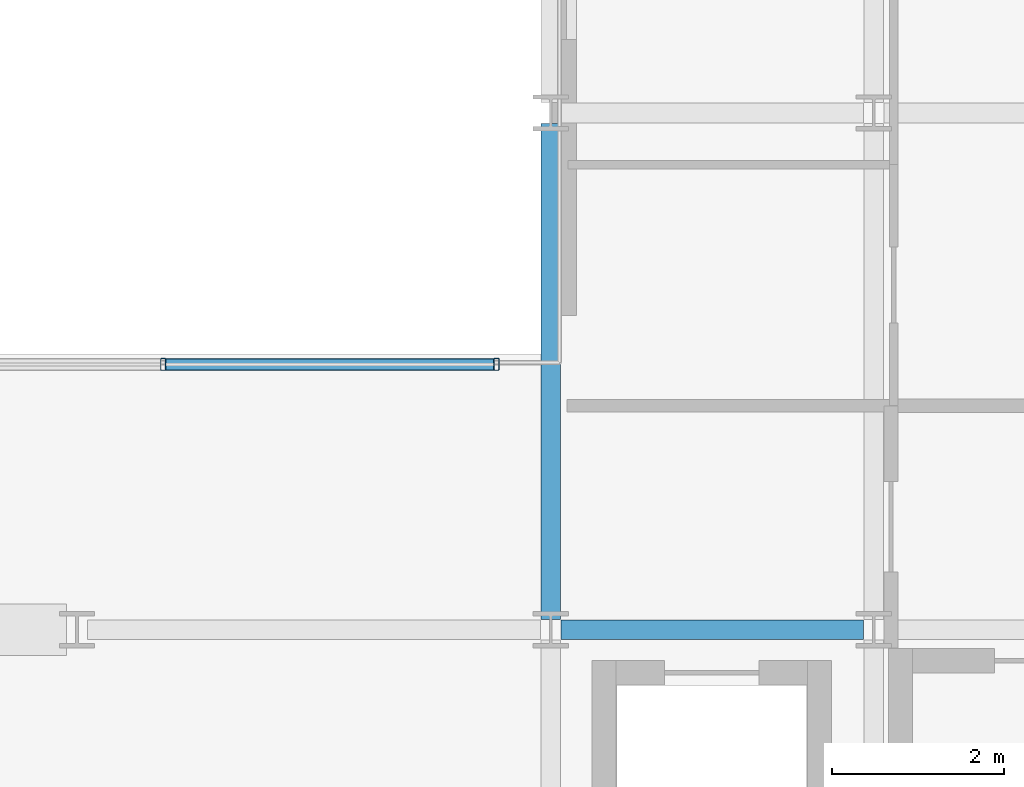
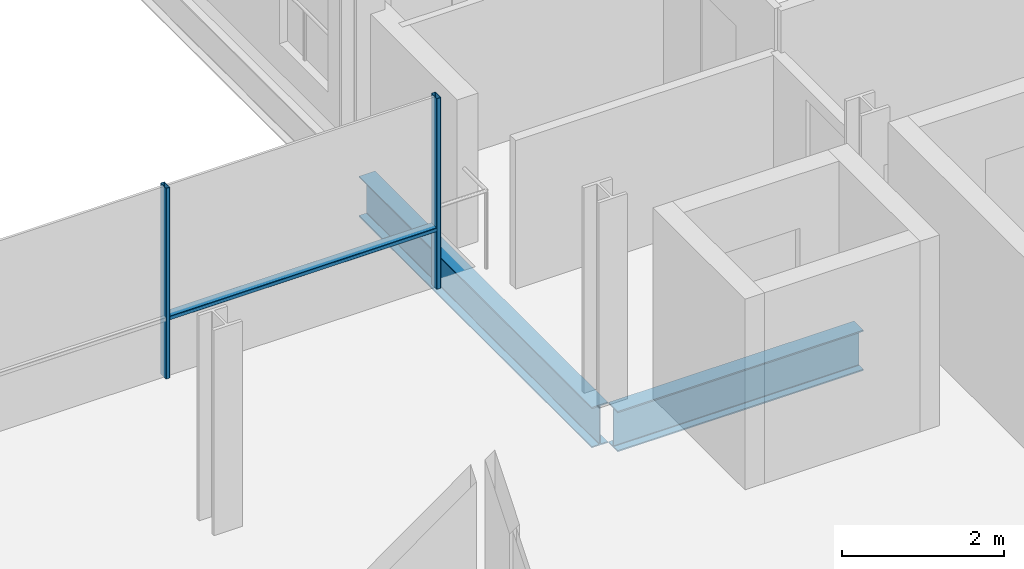
# One storey, part 13 of 38: 3 members, 2 beams, 1 element without a shape of its own.
"""IFC4 building model written with IfcOpenShell, lengths in metres."""

from ifc_helpers import new_model, si_unit, direction, frame, origin, origin_2d, place, context, subcontext, project, spatial, hollow_rectangle, i_section, extrude, material, layer, layer_set, material_profile, profile_set, type_object, element, aggregate, save


model = new_model("IFC4")

# Units and contexts
model_context = context("Model", 3, precision=1e-05, world=origin(), true_north=direction((0.0, 1.0)))
body_context = subcontext(model_context, "Body", "Model", "MODEL_VIEW")
ifc_project = project(units=[si_unit("LENGTHUNIT", "METRE"), si_unit("AREAUNIT", "SQUARE_METRE"), si_unit("VOLUMEUNIT", "CUBIC_METRE"), si_unit("PLANEANGLEUNIT", "RADIAN"), si_unit("MASSUNIT", "GRAM", prefix="KILO")], contexts=[model_context])

# Site, building, storey
site_placement = place(None, origin())
site = spatial("IfcSite", under=ifc_project, at=site_placement, CompositionType="ELEMENT")
building_placement = place(site_placement, origin())
building = spatial("IfcBuilding", under=site, at=building_placement, Name="Brevholm Reach", CompositionType="ELEMENT")
storey_placement = place(building_placement, frame((0.0, 0.0, 122.10009765625)))
storey = spatial("IfcBuildingStorey", under=building, at=storey_placement, Name="L36", CompositionType="ELEMENT", Elevation=122.10009765625)

# Beams
ifc_material_1 = material(Name="Structural Steel S355J2", Category="steel")
ifc_material_profile_1 = material_profile(ifc_material_1, i_section(OverallWidth=0.22900390625, OverallDepth=0.6123046875, WebThickness=0.011962890625, FlangeThickness=0.01953125, FilletRadius=0.0126953125, at=origin_2d()), Name="UKB 610x229x125")
ifc_profile_set_1 = profile_set([ifc_material_profile_1], Name="Structural Steel S355J2")
beam_type = type_object("IfcBeamType", Name="BM-SP610", PredefinedType="SPANDREL", material=ifc_profile_set_1)
beam_1_placement = place(storey_placement, frame((38.3701171875, 10.0, -0.526123046875), z_axis=(1.0, 0.0, 0.0), x_axis=(0.0, 1.0, 0.0)))
element("IfcBeam", 1, at=beam_1_placement, inside=storey, type_object=beam_type, Name="L36 SP-01 Framing Beam", PredefinedType="SPANDREL", context=body_context, shape_type="SweptSolid", body=[
    extrude(i_section(OverallWidth=0.22900390625, OverallDepth=0.6123046875, WebThickness=0.011962890625, FlangeThickness=0.01953125, FilletRadius=0.0126953125, at=origin_2d()), origin(), (0.0, 0.0, 1.0), 3.509765625),
])
beam_2_placement = place(storey_placement, frame((38.25, 10.1201171875, -0.526123046875), z_axis=(0.0, 1.0, 0.0), x_axis=(-1.0, 0.0, 0.0)))
element("IfcBeam", 2, at=beam_2_placement, inside=storey, type_object=beam_type, Name="L36 SP-01 Framing Beam", PredefinedType="SPANDREL", context=body_context, shape_type="SweptSolid", body=[
    extrude(i_section(OverallWidth=0.22900390625, OverallDepth=0.6123046875, WebThickness=0.011962890625, FlangeThickness=0.01953125, FilletRadius=0.0126953125, at=origin_2d()), origin(), (0.0, 0.0, 1.0), 5.759765625),
])

# Curtain wall, members
ifc_material_2 = material(Name="Dark Anodised Aluminium 6063-T6 and Solar-Control Glass", Category="aluminium")
ifc_layer = layer(ifc_material_2, 0.139892578125)
ifc_layer_set = layer_set([ifc_layer], Name="Dark Anodised Aluminium 6063-T6 and Solar-Control Glass")
curtain_wall_type = type_object("IfcCurtainWallType", Name="CW-02", PredefinedType="NOTDEFINED", material=ifc_layer_set)
curtain_wall_placement = place(storey_placement, origin())
curtain_wall = element("IfcCurtainWall", 3, at=curtain_wall_placement, inside=storey, type_object=curtain_wall_type, Name="L36 Curtain Wall CW-02", PredefinedType="NOTDEFINED")
ifc_material_3 = material(Name="Dark Anodised Aluminium 6063-T6", Category="aluminium")
ifc_material_profile_2 = material_profile(ifc_material_3, hollow_rectangle(XDim=0.06005859375, YDim=0.139892578125, WallThickness=0.0048828125, InnerFilletRadius=0.0048828125, OuterFilletRadius=0.010009765625, at=origin_2d()), Name="RHS 140x60x5")
ifc_profile_set_2 = profile_set([ifc_material_profile_2], Name="Dark Anodised Aluminium 6063-T6")
member_type_1 = type_object("IfcMemberType", Name="CWM-140", PredefinedType="MULLION", material=ifc_profile_set_2)
member_1_placement = place(storey_placement, frame((33.75, 13.080078125, 0.0), z_axis=(0.0, 0.0, 1.0), x_axis=(1.0, 0.0, 0.0)))
member_1 = element("IfcMember", 4, at=member_1_placement, type_object=member_type_1, Name="CM-140 Mullion 4", PredefinedType="MULLION", context=body_context, shape_type="SweptSolid", body=[
    extrude(hollow_rectangle(XDim=0.06005859375, YDim=0.139892578125, WallThickness=0.0048828125, InnerFilletRadius=0.0048828125, OuterFilletRadius=0.010009765625, at=origin_2d()), origin(), (0.0, 0.0, 1.0), 2.8798828125),
])
member_2_placement = place(storey_placement, frame((37.6201171875, 13.080078125, 0.0), z_axis=(0.0, 0.0, 1.0), x_axis=(1.0, 0.0, 0.0)))
member_2 = element("IfcMember", 5, at=member_2_placement, type_object=member_type_1, Name="CM-140 Mullion 5", PredefinedType="MULLION", context=body_context, shape_type="SweptSolid", body=[
    extrude(hollow_rectangle(XDim=0.06005859375, YDim=0.139892578125, WallThickness=0.0048828125, InnerFilletRadius=0.0048828125, OuterFilletRadius=0.010009765625, at=origin_2d()), origin(), (0.0, 0.0, 1.0), 2.8798828125),
])
ifc_material_4 = material(Name="Dark Anodised Aluminium 6063-T6", Category="aluminium")
ifc_material_profile_3 = material_profile(ifc_material_4, hollow_rectangle(XDim=0.06005859375, YDim=0.139892578125, WallThickness=0.0048828125, InnerFilletRadius=0.0048828125, OuterFilletRadius=0.010009765625, at=origin_2d()), Name="RHS 140x60x5")
ifc_profile_set_3 = profile_set([ifc_material_profile_3], Name="Dark Anodised Aluminium 6063-T6")
member_type_2 = type_object("IfcMemberType", Name="CWT-140", PredefinedType="NOTDEFINED", material=ifc_profile_set_3)
member_3_placement = place(storey_placement, frame((33.780029296875, 13.080078125, 0.89990234375), z_axis=(1.0, 0.0, 0.0), x_axis=(0.0, 0.0, 1.0)))
member_3 = element("IfcMember", 6, at=member_3_placement, type_object=member_type_2, Name="CT-140 Transom 4.1", ObjectType="TRANSOM", PredefinedType="USERDEFINED", context=body_context, shape_type="SweptSolid", body=[
    extrude(hollow_rectangle(XDim=0.06005859375, YDim=0.139892578125, WallThickness=0.0048828125, InnerFilletRadius=0.0048828125, OuterFilletRadius=0.010009765625, at=origin_2d()), origin(), (0.0, 0.0, 1.0), 3.81005859375),
])
aggregate(curtain_wall, [member_1, member_2, member_3])

save(model, "model.ifc")
